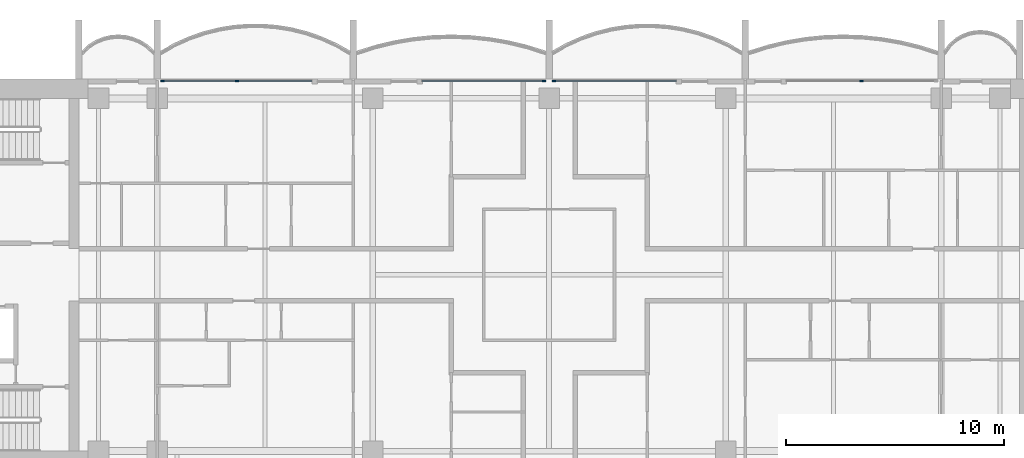
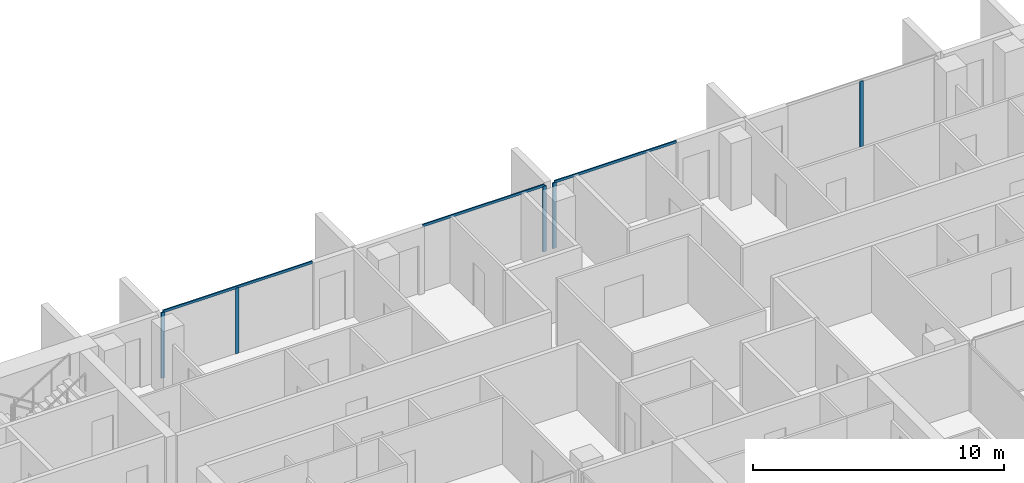
# One storey, part 5 of 17: 8 members, 4 elements without a shape of their own.
"""IFC4 building model written with IfcOpenShell, lengths in metres."""

from ifc_helpers import new_model, si_unit, direction, frame, origin, origin_2d, place, context, subcontext, project, spatial, rectangle, extrude, material, material_profile, profile_set, type_object, element, aggregate, save


model = new_model("IFC4")

# Units and contexts
model_context = context("Model", 3, precision=1e-05, world=origin(), true_north=direction((0.0, 1.0)))
body_context = subcontext(model_context, "Body", "Model", "MODEL_VIEW")
ifc_project = project(units=[si_unit("LENGTHUNIT", "METRE"), si_unit("AREAUNIT", "SQUARE_METRE"), si_unit("VOLUMEUNIT", "CUBIC_METRE"), si_unit("PLANEANGLEUNIT", "RADIAN"), si_unit("MASSUNIT", "GRAM", prefix="KILO")], contexts=[model_context])

# Site, building, storey
site_placement = place(None, origin())
site = spatial("IfcSite", under=ifc_project, at=site_placement, CompositionType="ELEMENT")
building_placement = place(site_placement, origin())
building = spatial("IfcBuilding", under=site, at=building_placement, Name="Perihelion Cross Residences", CompositionType="ELEMENT")
storey_placement = place(building_placement, frame((0.0, 0.0, 205.10009765625)))
storey = spatial("IfcBuildingStorey", under=building, at=storey_placement, Name="L51", CompositionType="ELEMENT", Elevation=205.10009765625)

# Curtain wall, member
ifc_material_1 = material(Name="Bronze anodised aluminium, tinted glazing", Category="aluminium")
curtain_wall_type = type_object("IfcCurtainWallType", Name="CW1", PredefinedType="NOTDEFINED", material=ifc_material_1)
curtain_wall_1_placement = place(storey_placement, origin())
curtain_wall_1 = element("IfcCurtainWall", 1, at=curtain_wall_1_placement, inside=storey, type_object=curtain_wall_type, Name="Curtain wall CW1 L51 east side north bay 2", PredefinedType="NOTDEFINED")
ifc_material_2 = material(Name="Bronze anodised aluminium", Category="aluminium")
ifc_material_profile_1 = material_profile(ifc_material_2, rectangle(XDim=0.06005859375, YDim=0.159912109375, at=origin_2d()), Name="CW1 mullion")
ifc_profile_set_1 = profile_set([ifc_material_profile_1], Name="Bronze anodised aluminium")
member_type_1 = type_object("IfcMemberType", Name="CW1 mullion", PredefinedType="MULLION", material=ifc_profile_set_1)
member_1_placement = place(storey_placement, frame((14.35009765625, 8.89990234375, 0.0), z_axis=(0.0, 0.0, 1.0), x_axis=(0.0, -1.0, 0.0)))
member_1 = element("IfcMember", 2, at=member_1_placement, type_object=member_type_1, Name="CW1 mullion 2", PredefinedType="MULLION", context=body_context, shape_type="SweptSolid", body=[
    extrude(rectangle(XDim=0.06005859375, YDim=0.159912109375, at=origin_2d()), origin(), (0.0, 0.0, 1.0), 3.18994140625),
])
aggregate(curtain_wall_1, [member_1])

curtain_wall_2_placement = place(storey_placement, origin())
curtain_wall_2 = element("IfcCurtainWall", 3, at=curtain_wall_2_placement, inside=storey, type_object=curtain_wall_type, Name="Curtain wall CW1 L51 north side east bay 1", PredefinedType="NOTDEFINED")
member_2_placement = place(storey_placement, frame((0.22998046875, 8.89990234375, 0.0), z_axis=(0.0, 0.0, 1.0), x_axis=(0.0, -1.0, 0.0)))
member_2 = element("IfcMember", 4, at=member_2_placement, type_object=member_type_1, Name="CW1 mullion 2", PredefinedType="MULLION", context=body_context, shape_type="SweptSolid", body=[
    extrude(rectangle(XDim=0.06005859375, YDim=0.159912109375, at=origin_2d()), origin(), (0.0, 0.0, 1.0), 3.18994140625),
])

curtain_wall_3_placement = place(storey_placement, origin())
curtain_wall_3 = element("IfcCurtainWall", 5, at=curtain_wall_3_placement, inside=storey, type_object=curtain_wall_type, Name="Curtain wall CW1 L51 north side east bay 2", PredefinedType="NOTDEFINED")
member_3_placement = place(storey_placement, frame((-0.22998046875, 8.89990234375, 0.0), z_axis=(0.0, 0.0, 1.0), x_axis=(0.0, -1.0, 0.0)))
member_3 = element("IfcMember", 6, at=member_3_placement, type_object=member_type_1, Name="CW1 mullion 1", PredefinedType="MULLION", context=body_context, shape_type="SweptSolid", body=[
    extrude(rectangle(XDim=0.06005859375, YDim=0.159912109375, at=origin_2d()), origin(), (0.0, 0.0, 1.0), 3.18994140625),
])

# Curtain wall, members
curtain_wall_4_placement = place(storey_placement, origin())
curtain_wall_4 = element("IfcCurtainWall", 7, at=curtain_wall_4_placement, inside=storey, type_object=curtain_wall_type, Name="Curtain wall CW1 L51 west side north bay 1", PredefinedType="NOTDEFINED")
member_4_placement = place(storey_placement, frame((-14.35009765625, 8.89990234375, 0.0), z_axis=(0.0, 0.0, 1.0), x_axis=(0.0, -1.0, 0.0)))
member_4 = element("IfcMember", 8, at=member_4_placement, type_object=member_type_1, Name="CW1 mullion 2", PredefinedType="MULLION", context=body_context, shape_type="SweptSolid", body=[
    extrude(rectangle(XDim=0.06005859375, YDim=0.159912109375, at=origin_2d()), origin(), (0.0, 0.0, 1.0), 3.18994140625),
])
member_5_placement = place(storey_placement, frame((-17.77001953125, 8.89990234375, 0.0), z_axis=(0.0, 0.0, 1.0), x_axis=(0.0, -1.0, 0.0)))
member_5 = element("IfcMember", 9, at=member_5_placement, type_object=member_type_1, Name="CW1 mullion 3", PredefinedType="MULLION", context=body_context, shape_type="SweptSolid", body=[
    extrude(rectangle(XDim=0.06005859375, YDim=0.159912109375, at=origin_2d()), origin(), (0.0, 0.0, 1.0), 3.18994140625),
])

# Member
ifc_material_3 = material(Name="Bronze anodised aluminium", Category="aluminium")
ifc_material_profile_2 = material_profile(ifc_material_3, rectangle(XDim=0.06005859375, YDim=0.1201171875, at=origin_2d()), Name="CW1 transom")
ifc_profile_set_2 = profile_set([ifc_material_profile_2], Name="Bronze anodised aluminium")
member_type_2 = type_object("IfcMemberType", Name="CW1 transom", PredefinedType="USERDEFINED", material=ifc_profile_set_2)
member_6_placement = place(storey_placement, frame((5.824951171875, 8.89990234375, 3.219970703125), z_axis=(-1.0, 0.0, 0.0), x_axis=(0.0, -1.0, 0.0)))
member_6 = element("IfcMember", 10, at=member_6_placement, type_object=member_type_2, Name="CW1 head transom", ObjectType="TRANSOM", PredefinedType="USERDEFINED", context=body_context, shape_type="SweptSolid", body=[
    extrude(rectangle(XDim=0.06005859375, YDim=0.1201171875, at=origin_2d()), origin(), (0.0, 0.0, 1.0), 5.594970703125),
])

aggregate(curtain_wall_2, [member_2, member_6])

member_7_placement = place(storey_placement, frame((-0.22998046875, 8.89990234375, 3.219970703125), z_axis=(-1.0, 0.0, 0.0), x_axis=(0.0, -1.0, 0.0)))
member_7 = element("IfcMember", 11, at=member_7_placement, type_object=member_type_2, Name="CW1 head transom", ObjectType="TRANSOM", PredefinedType="USERDEFINED", context=body_context, shape_type="SweptSolid", body=[
    extrude(rectangle(XDim=0.06005859375, YDim=0.1201171875, at=origin_2d()), origin(), (0.0, 0.0, 1.0), 5.594970703125),
])

aggregate(curtain_wall_3, [member_3, member_7])

member_8_placement = place(storey_placement, frame((-10.89990234375, 8.89990234375, 3.219970703125), z_axis=(-1.0, 0.0, 0.0), x_axis=(0.0, -1.0, 0.0)))
member_8 = element("IfcMember", 12, at=member_8_placement, type_object=member_type_2, Name="CW1 head transom", ObjectType="TRANSOM", PredefinedType="USERDEFINED", context=body_context, shape_type="SweptSolid", body=[
    extrude(rectangle(XDim=0.06005859375, YDim=0.1201171875, at=origin_2d()), origin(), (0.0, 0.0, 1.0), 6.8701171875),
])

aggregate(curtain_wall_4, [member_4, member_5, member_8])

save(model, "model.ifc")
